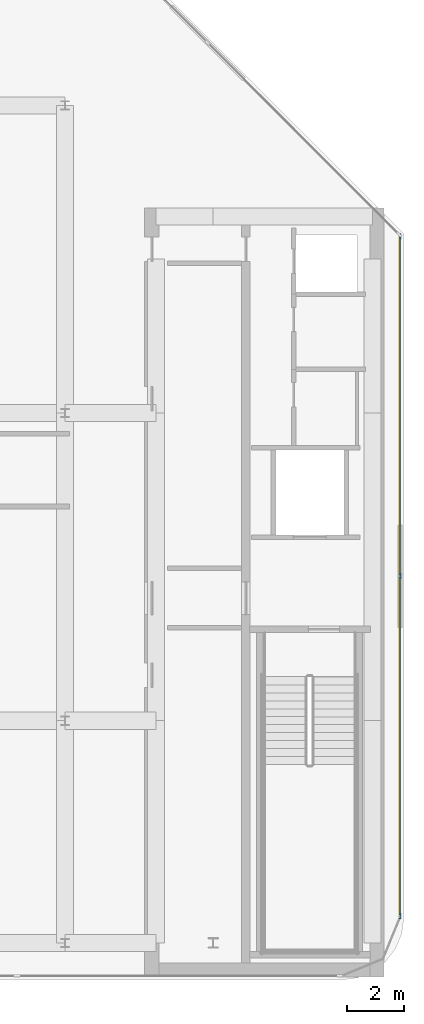
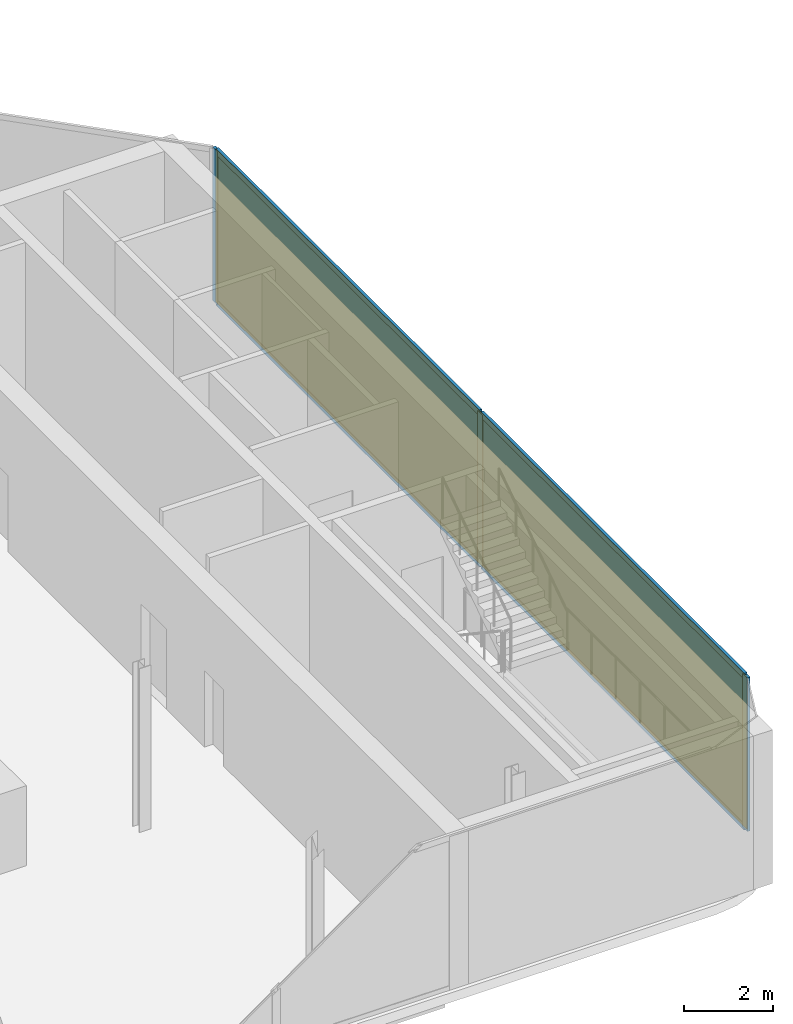
# One storey, part 9 of 15: 7 members, 2 plates, 1 curtain wall.
"""IFC4 building model written with IfcOpenShell, lengths in metres."""

import ifcopenshell
import ifcopenshell.guid

model = None  # the IFC model being written
_history = None  # IfcOwnerHistory: only IFC2X3 demands one
_inside = {}  # id of a spatial element -> (the spatial element, [elements in it])
_under = {}  # id of a project, library or spatial element -> (it, [spatial elements below it])
_declared = {}  # id of a project -> (the project, [libraries it declares])
_typed = {}  # id of a type object -> (the type object, [elements of that type])
_made_of = {}  # id of a material, layer set ... -> (it, [elements and type objects made of it])


def new_model(schema):
    """Start an empty IFC model of exactly this schema.

    Asked for "IFC4X3", IfcOpenShell would pick the latest addendum, in which some entities
    have other attributes; the version numbers below select the first issue.
    IFC2X3 requires an IfcOwnerHistory on every rooted entity: one is made here for all.
    """
    global model, _history
    if schema == "IFC4X3":
        model = ifcopenshell.file(schema_version=(4, 3, 0, 0))
    else:
        model = ifcopenshell.file(schema=schema)
    _inside.clear()
    _under.clear()
    _declared.clear()
    _typed.clear()
    _made_of.clear()
    _history = None
    if model.schema == "IFC2X3":
        org = make("IfcOrganization", Name="unknown")
        user = make(
            "IfcPersonAndOrganization",
            ThePerson=make("IfcPerson", FamilyName="unknown"),
            TheOrganization=org,
        )
        app = make(
            "IfcApplication",
            ApplicationDeveloper=org,
            Version="unknown",
            ApplicationFullName="unknown",
            ApplicationIdentifier="unknown",
        )
        _history = make(
            "IfcOwnerHistory",
            OwningUser=user,
            OwningApplication=app,
            ChangeAction="ADDED",
            CreationDate=0,
        )
    return model


def make(cls, **values):
    """One entity of the class cls with the attributes given. An attribute that is None is left unset."""
    return model.create_entity(
        cls, **{name: value for name, value in values.items() if value is not None}
    )


def rooted(cls, **values):
    """An entity with a GlobalId (a new one), such as an element, a storey or a relation."""
    return make(cls, GlobalId=ifcopenshell.guid.new(), OwnerHistory=_history, **values)


def si_unit(unit_type, name, prefix=None):
    """IfcSIUnit, for example si_unit("LENGTHUNIT", "METRE", prefix="MILLI")."""
    return make("IfcSIUnit", UnitType=unit_type, Prefix=prefix, Name=name)


def assignment(units):
    """IfcUnitAssignment: the units of a project."""
    return None if units is None else make("IfcUnitAssignment", Units=units)


def point(xyz):
    """IfcCartesianPoint."""
    return None if xyz is None else make("IfcCartesianPoint", Coordinates=xyz)


def direction(xyz):
    """IfcDirection."""
    return None if xyz is None else make("IfcDirection", DirectionRatios=xyz)


def frame(location, z_axis=None, x_axis=None):
    """IfcAxis2Placement3D, a coordinate frame: its origin and axes. An axis left out is left unset."""
    return make(
        "IfcAxis2Placement3D",
        Location=point(location),
        Axis=direction(z_axis),
        RefDirection=direction(x_axis),
    )


def frame_2d(location, x_axis=None):
    """IfcAxis2Placement2D, a coordinate frame in the plane: its origin and x axis."""
    return make(
        "IfcAxis2Placement2D", Location=point(location), RefDirection=direction(x_axis)
    )


def origin():
    """The frame at (0, 0, 0) with its axes left unset."""
    return frame((0.0, 0.0, 0.0))


def origin_2d():
    """The frame at (0, 0) in the plane with its x axis left unset."""
    return frame_2d((0.0, 0.0))


def place(relative_to, where):
    """IfcLocalPlacement: puts the frame where relative to a parent placement (None: the world)."""
    return make(
        "IfcLocalPlacement", PlacementRelTo=relative_to, RelativePlacement=where
    )


def context(
    kind, dimensions, precision=None, world=None, true_north=None, identifier=None
):
    """IfcGeometricRepresentationContext, for example the 3D "Model" context."""
    return make(
        "IfcGeometricRepresentationContext",
        ContextIdentifier=identifier,
        ContextType=kind,
        CoordinateSpaceDimension=dimensions,
        Precision=precision,
        WorldCoordinateSystem=world,
        TrueNorth=true_north,
    )


def subcontext(parent, identifier, kind, view, scale=None):
    """IfcGeometricRepresentationSubContext, for example "Body" below "Model"."""
    return make(
        "IfcGeometricRepresentationSubContext",
        ContextIdentifier=identifier,
        ContextType=kind,
        ParentContext=parent,
        TargetScale=scale,
        TargetView=view,
    )


def project(units=None, contexts=None):
    """IfcProject with its units and contexts."""
    return rooted(
        "IfcProject",
        Name="project",
        RepresentationContexts=contexts,
        UnitsInContext=assignment(units),
    )


def spatial(cls, under=None, at=None, **own):
    """A site, building, storey or space (cls), placed at a placement, below another one or the project."""
    s = rooted(cls, ObjectPlacement=at, **own)
    if under is not None:
        _under.setdefault(under.id(), (under, []))[1].append(s)
    return s


def profile(cls, at=None, kind="AREA", **sizes):
    """A parametric profile (cls). Its sizes go by their IFC names, for example OverallWidth=200.0."""
    return make(cls, ProfileType=kind, Position=at, **sizes)


def rectangle(**sizes):
    """IfcRectangleProfileDef."""
    return profile("IfcRectangleProfileDef", **sizes)


def extrude(swept, where, along, depth):
    """IfcExtrudedAreaSolid: the profile swept, set in the frame where, extruded along a direction by depth."""
    return make(
        "IfcExtrudedAreaSolid",
        SweptArea=swept,
        Position=where,
        ExtrudedDirection=direction(along),
        Depth=depth,
    )


def shape(context_of_items, identifier, shape_type, items):
    """IfcShapeRepresentation: the items that make up one representation, for example the "Body"."""
    return make(
        "IfcShapeRepresentation",
        ContextOfItems=context_of_items,
        RepresentationIdentifier=identifier,
        RepresentationType=shape_type,
        Items=items,
    )


def material(Name=None, Category=None):
    """IfcMaterial."""
    return make("IfcMaterial", Name=Name, Category=Category)


def layer(
    of_material, thickness, ventilated=None, Name=None, Category=None, Priority=None
):
    """IfcMaterialLayer: one layer of a wall or slab, of a material (None: an air gap)."""
    return make(
        "IfcMaterialLayer",
        Material=of_material,
        LayerThickness=thickness,
        IsVentilated=ventilated,
        Name=Name,
        Category=Category,
        Priority=Priority,
    )


def layer_set(layers, Name=None):
    """IfcMaterialLayerSet."""
    return make("IfcMaterialLayerSet", MaterialLayers=layers, LayerSetName=Name)


def material_profile(
    of_material, cross_section, Name=None, Category=None, Priority=None
):
    """IfcMaterialProfile: a cross section and its material."""
    return make(
        "IfcMaterialProfile",
        Name=Name,
        Material=of_material,
        Profile=cross_section,
        Priority=Priority,
        Category=Category,
    )


def profile_set(profiles, Name=None, composite=None):
    """IfcMaterialProfileSet."""
    return make(
        "IfcMaterialProfileSet",
        Name=Name,
        MaterialProfiles=profiles,
        CompositeProfile=composite,
    )


def made_of(thing, what):
    """Note that an element or type object is made of a material, layer set ...; save() writes the relation."""
    if what is not None:
        _made_of.setdefault(what.id(), (what, []))[1].append(thing)
    return thing


def type_object(cls, material=None, **own):
    """A type object (cls), such as IfcWallType, which elements share."""
    return made_of(rooted(cls, **own), material)


def element(
    cls,
    number,
    at=None,
    inside=None,
    cuts=None,
    type_object=None,
    material=None,
    context=None,
    identifier="Body",
    shape_type=None,
    held_by="IfcProductDefinitionShape",
    body=None,
    shapes=None,
    **own,
):
    """One element of the class cls, such as IfcWall. Its Tag is "e" and its number.

    at: its placement. inside: the storey or other place that contains it. cuts: it is an
    opening in that element (IfcRelVoidsElement). A single representation is given by context,
    identifier, shape_type and body (its items); several are given by shapes. held_by: the class
    of the entity that holds the representations. save() writes the other relations.
    """
    e = rooted(cls, Tag="e%d" % number, ObjectPlacement=at, **own)
    if body is not None:
        shapes = [shape(context, identifier, shape_type, body)]
    if shapes is not None:
        e.Representation = make(held_by, Representations=shapes)
    if inside is not None:
        _inside.setdefault(inside.id(), (inside, []))[1].append(e)
    if cuts is not None:
        rooted(
            "IfcRelVoidsElement", RelatingBuildingElement=cuts, RelatedOpeningElement=e
        )
    if type_object is not None:
        _typed.setdefault(type_object.id(), (type_object, []))[1].append(e)
    return made_of(e, material)


def aggregate(whole, parts):
    """IfcRelAggregates: a whole, such as a stair, and the parts it consists of."""
    return rooted("IfcRelAggregates", RelatingObject=whole, RelatedObjects=parts)


def save(model, path):
    """Write the relations noted so far, then the file.

    IfcRelAggregates (storeys below a building ...), IfcRelContainedInSpatialStructure (elements
    in a storey), IfcRelDefinesByType, IfcRelAssociatesMaterial and IfcRelDeclares: one each for
    every whole, place, type object, material and project.
    """
    for whole, parts in _under.values():
        aggregate(whole, parts)
    for where, things in _inside.values():
        rooted(
            "IfcRelContainedInSpatialStructure",
            RelatedElements=things,
            RelatingStructure=where,
        )
    for kind, things in _typed.values():
        rooted("IfcRelDefinesByType", RelatedObjects=things, RelatingType=kind)
    for what, things in _made_of.values():
        rooted("IfcRelAssociatesMaterial", RelatedObjects=things, RelatingMaterial=what)
    for by, libraries in _declared.values():
        rooted("IfcRelDeclares", RelatingContext=by, RelatedDefinitions=libraries)
    model.write(path)


model = new_model("IFC4")

# Units and contexts
model_context = context("Model", 3, precision=1e-05, world=origin(), true_north=direction((0.0, 1.0)))
body_context = subcontext(model_context, "Body", "Model", "MODEL_VIEW")
ifc_project = project(units=[si_unit("LENGTHUNIT", "METRE"), si_unit("AREAUNIT", "SQUARE_METRE"), si_unit("VOLUMEUNIT", "CUBIC_METRE"), si_unit("PLANEANGLEUNIT", "RADIAN"), si_unit("MASSUNIT", "GRAM", prefix="KILO")], contexts=[model_context])

# Member
ifc_material_1 = material(Name="Anodised Bronze Aluminium 6063-T6", Category="aluminium")
ifc_material_profile_1 = material_profile(ifc_material_1, rectangle(XDim=0.074951171875, YDim=0.2099609375, at=origin_2d()))
ifc_profile_set_1 = profile_set([ifc_material_profile_1], Name="Anodised Bronze Aluminium 6063-T6")
member_type_1 = type_object("IfcMemberType", Name="CW-CRN Mullion 75x210", PredefinedType="MULLION", material=ifc_profile_set_1)
site_placement = place(None, origin())
building_placement = place(site_placement, origin())
storey_placement = place(building_placement, frame((0.0, 0.0, 335.0)))
member_1_placement = place(storey_placement, frame((20.9599609375, 6.20458984375, 0.0), z_axis=(0.0, 0.0, 1.0), x_axis=(1.0, 0.0, 0.0)))
member_1 = element("IfcMember", 1, at=member_1_placement, type_object=member_type_1, Name="CW-CRN mullion 1", PredefinedType="MULLION", context=body_context, shape_type="SweptSolid", body=[
    extrude(rectangle(XDim=0.074951171875, YDim=0.2099609375, at=origin_2d()), origin(), (0.0, 0.0, 1.0), 4.219970703125),
])

member_2_placement = place(storey_placement, frame((20.9599609375, -5.724365234375, 0.0), z_axis=(0.0, 0.0, 1.0), x_axis=(1.0, 0.0, 0.0)))
member_2 = element("IfcMember", 2, at=member_2_placement, type_object=member_type_1, Name="CW-CRN mullion 2", PredefinedType="MULLION", context=body_context, shape_type="SweptSolid", body=[
    extrude(rectangle(XDim=0.074951171875, YDim=0.2099609375, at=origin_2d()), origin(), (0.0, 0.0, 1.0), 4.219970703125),
])

member_3_placement = place(storey_placement, frame((20.9599609375, -17.6533203125, 0.0), z_axis=(0.0, 0.0, 1.0), x_axis=(1.0, 0.0, 0.0)))
member_3 = element("IfcMember", 3, at=member_3_placement, type_object=member_type_1, Name="CW-CRN mullion 3", PredefinedType="MULLION", context=body_context, shape_type="SweptSolid", body=[
    extrude(rectangle(XDim=0.074951171875, YDim=0.2099609375, at=origin_2d()), origin(), (0.0, 0.0, 1.0), 4.219970703125),
])

ifc_material_2 = material(Name="Anodised Bronze Aluminium 6063-T6", Category="aluminium")
ifc_material_profile_2 = material_profile(ifc_material_2, rectangle(XDim=0.074951171875, YDim=0.1650390625, at=origin_2d()))
ifc_profile_set_2 = profile_set([ifc_material_profile_2], Name="Anodised Bronze Aluminium 6063-T6")
member_type_2 = type_object("IfcMemberType", Name="CW-CRN Transom 75x165", PredefinedType="USERDEFINED", material=ifc_profile_set_2)
member_4_placement = place(storey_placement, frame((20.9599609375, 6.1669921875, 0.03759765625), z_axis=(0.0, -1.0, 0.0), x_axis=(1.0, 0.0, 0.0)))
member_4 = element("IfcMember", 4, at=member_4_placement, type_object=member_type_2, Name="CW-CRN transom 1.1", ObjectType="TRANSOM", PredefinedType="USERDEFINED", context=body_context, shape_type="SweptSolid", body=[
    extrude(rectangle(XDim=0.074951171875, YDim=0.1650390625, at=origin_2d()), origin(), (0.0, 0.0, 1.0), 11.85400390625),
])

member_5_placement = place(storey_placement, frame((20.9599609375, 6.1669921875, 4.1826171875), z_axis=(0.0, -1.0, 0.0), x_axis=(1.0, 0.0, 0.0)))
member_5 = element("IfcMember", 5, at=member_5_placement, type_object=member_type_2, Name="CW-CRN transom 1.2", ObjectType="TRANSOM", PredefinedType="USERDEFINED", context=body_context, shape_type="SweptSolid", body=[
    extrude(rectangle(XDim=0.074951171875, YDim=0.1650390625, at=origin_2d()), origin(), (0.0, 0.0, 1.0), 11.85400390625),
])

member_6_placement = place(storey_placement, frame((20.9599609375, -5.761962890625, 0.03759765625), z_axis=(0.0, -1.0, 0.0), x_axis=(1.0, 0.0, 0.0)))
member_6 = element("IfcMember", 6, at=member_6_placement, type_object=member_type_2, Name="CW-CRN transom 2.1", ObjectType="TRANSOM", PredefinedType="USERDEFINED", context=body_context, shape_type="SweptSolid", body=[
    extrude(rectangle(XDim=0.074951171875, YDim=0.1650390625, at=origin_2d()), origin(), (0.0, 0.0, 1.0), 11.853759765625),
])

member_7_placement = place(storey_placement, frame((20.9599609375, -5.761962890625, 4.1826171875), z_axis=(0.0, -1.0, 0.0), x_axis=(1.0, 0.0, 0.0)))
member_7 = element("IfcMember", 7, at=member_7_placement, type_object=member_type_2, Name="CW-CRN transom 2.2", ObjectType="TRANSOM", PredefinedType="USERDEFINED", context=body_context, shape_type="SweptSolid", body=[
    extrude(rectangle(XDim=0.074951171875, YDim=0.1650390625, at=origin_2d()), origin(), (0.0, 0.0, 1.0), 11.853759765625),
])

# Plate
ifc_material_3 = material(Name="Low-E Solar Control Laminated Glass", Category="glass")
ifc_layer_1 = layer(ifc_material_3, 0.035888671875, Name="Low-E Solar Control Laminated Glass")
ifc_layer_set_1 = layer_set([ifc_layer_1], Name="Low-E Solar Control Laminated Glass")
plate_type = type_object("IfcPlateType", Name="CW-CRN Low-E Double Glazed Panel 36mm", PredefinedType="CURTAIN_PANEL", material=ifc_layer_set_1)
plate_1_placement = place(storey_placement, frame((20.9599609375, 0.239990234375, 0.0751953125), z_axis=(0.0, 0.0, 1.0), x_axis=(0.0, -1.0, 0.0)))
plate_1 = element("IfcPlate", 8, at=plate_1_placement, type_object=plate_type, Name="CW-CRN panel 1.1", PredefinedType="CURTAIN_PANEL", context=body_context, shape_type="SweptSolid", body=[
    extrude(rectangle(XDim=11.85400390625, YDim=0.035888671875, at=origin_2d()), origin(), (0.0, 0.0, 1.0), 4.070068359375),
])

plate_2_placement = place(storey_placement, frame((20.9599609375, -11.68896484375, 0.0751953125), z_axis=(0.0, 0.0, 1.0), x_axis=(0.0, -1.0, 0.0)))
plate_2 = element("IfcPlate", 9, at=plate_2_placement, type_object=plate_type, Name="CW-CRN panel 2.1", PredefinedType="CURTAIN_PANEL", context=body_context, shape_type="SweptSolid", body=[
    extrude(rectangle(XDim=11.85400390625, YDim=0.035888671875, at=origin_2d()), origin(), (0.0, 0.0, 1.0), 4.070068359375),
])

# Site, building, storey
site = spatial("IfcSite", under=ifc_project, at=site_placement, CompositionType="ELEMENT")
building = spatial("IfcBuilding", under=site, at=building_placement, Name="Khairoan Windgate Tower", CompositionType="ELEMENT")
storey = spatial("IfcBuildingStorey", under=building, at=storey_placement, Name="L80", CompositionType="ELEMENT", Elevation=335.0)

# Curtain wall
ifc_material_4 = material(Name="Anodised Bronze Aluminium 6063-T6", Category="aluminium")
ifc_layer_2 = layer(ifc_material_4, 0.2099609375, Name="Anodised Bronze Aluminium 6063-T6")
ifc_layer_set_2 = layer_set([ifc_layer_2], Name="Anodised Bronze Aluminium 6063-T6")
curtain_wall_type = type_object("IfcCurtainWallType", Name="Crown Observation and Vitrine Curtain Wall CW-CRN", PredefinedType="NOTDEFINED", material=ifc_layer_set_2)
curtain_wall_placement = place(storey_placement, frame((20.9599609375, 6.241943359375, 0.0), z_axis=(0.0, 0.0, 1.0), x_axis=(0.0, -1.0, 0.0)))
curtain_wall = element("IfcCurtainWall", 10, at=curtain_wall_placement, inside=storey, type_object=curtain_wall_type, Name="L80 Unitised Curtain Wall 8", PredefinedType="NOTDEFINED", context=body_context, shape_type="SweptSolid", body=[
    extrude(rectangle(XDim=23.932861328125, YDim=0.010009765625, at=frame_2d((11.96630859375, 0.0))), origin(), (0.0, 0.0, 1.0), 4.219970703125),
])

aggregate(curtain_wall, [member_1, member_2, member_3, member_4, member_5, plate_1, member_6, member_7, plate_2])

save(model, "model.ifc")
